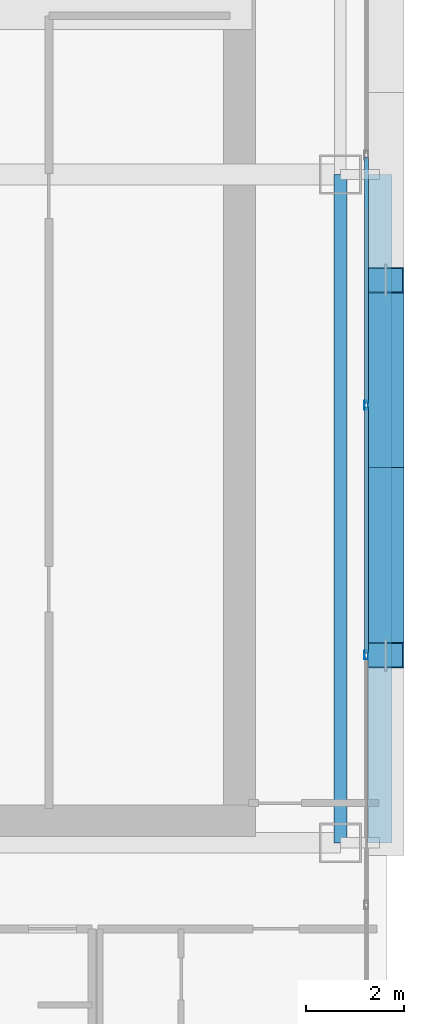
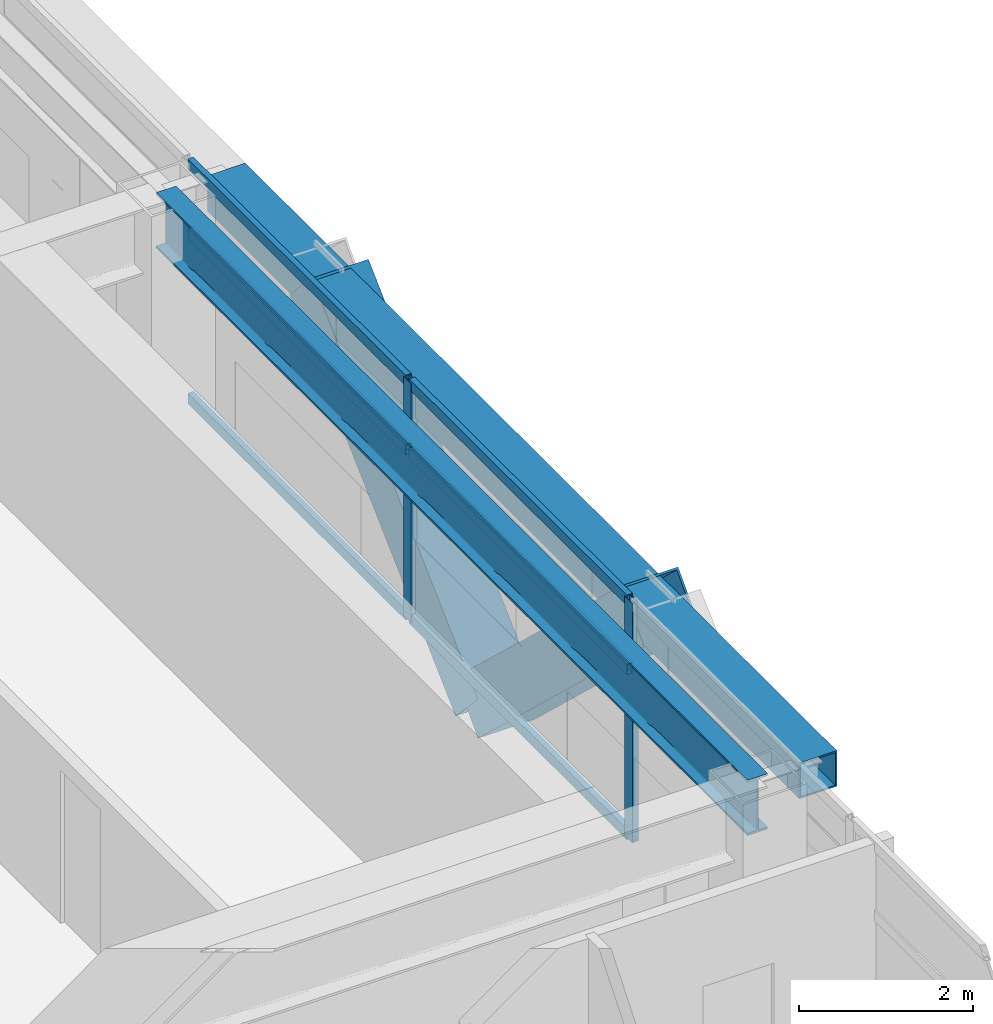
# One storey, part 13 of 34: 10 members, 2 beams, 1 element without a shape of its own.
"""IFC4 building model written with IfcOpenShell, lengths in metres."""

import ifcopenshell
import ifcopenshell.guid

model = None  # the IFC model being written
_history = None  # IfcOwnerHistory: only IFC2X3 demands one
_inside = {}  # id of a spatial element -> (the spatial element, [elements in it])
_under = {}  # id of a project, library or spatial element -> (it, [spatial elements below it])
_declared = {}  # id of a project -> (the project, [libraries it declares])
_typed = {}  # id of a type object -> (the type object, [elements of that type])
_made_of = {}  # id of a material, layer set ... -> (it, [elements and type objects made of it])


def new_model(schema):
    """Start an empty IFC model of exactly this schema.

    Asked for "IFC4X3", IfcOpenShell would pick the latest addendum, in which some entities
    have other attributes; the version numbers below select the first issue.
    IFC2X3 requires an IfcOwnerHistory on every rooted entity: one is made here for all.
    """
    global model, _history
    if schema == "IFC4X3":
        model = ifcopenshell.file(schema_version=(4, 3, 0, 0))
    else:
        model = ifcopenshell.file(schema=schema)
    _inside.clear()
    _under.clear()
    _declared.clear()
    _typed.clear()
    _made_of.clear()
    _history = None
    if model.schema == "IFC2X3":
        org = make("IfcOrganization", Name="unknown")
        user = make(
            "IfcPersonAndOrganization",
            ThePerson=make("IfcPerson", FamilyName="unknown"),
            TheOrganization=org,
        )
        app = make(
            "IfcApplication",
            ApplicationDeveloper=org,
            Version="unknown",
            ApplicationFullName="unknown",
            ApplicationIdentifier="unknown",
        )
        _history = make(
            "IfcOwnerHistory",
            OwningUser=user,
            OwningApplication=app,
            ChangeAction="ADDED",
            CreationDate=0,
        )
    return model


def make(cls, **values):
    """One entity of the class cls with the attributes given. An attribute that is None is left unset."""
    return model.create_entity(
        cls, **{name: value for name, value in values.items() if value is not None}
    )


def rooted(cls, **values):
    """An entity with a GlobalId (a new one), such as an element, a storey or a relation."""
    return make(cls, GlobalId=ifcopenshell.guid.new(), OwnerHistory=_history, **values)


def si_unit(unit_type, name, prefix=None):
    """IfcSIUnit, for example si_unit("LENGTHUNIT", "METRE", prefix="MILLI")."""
    return make("IfcSIUnit", UnitType=unit_type, Prefix=prefix, Name=name)


def assignment(units):
    """IfcUnitAssignment: the units of a project."""
    return None if units is None else make("IfcUnitAssignment", Units=units)


def point(xyz):
    """IfcCartesianPoint."""
    return None if xyz is None else make("IfcCartesianPoint", Coordinates=xyz)


def direction(xyz):
    """IfcDirection."""
    return None if xyz is None else make("IfcDirection", DirectionRatios=xyz)


def frame(location, z_axis=None, x_axis=None):
    """IfcAxis2Placement3D, a coordinate frame: its origin and axes. An axis left out is left unset."""
    return make(
        "IfcAxis2Placement3D",
        Location=point(location),
        Axis=direction(z_axis),
        RefDirection=direction(x_axis),
    )


def frame_2d(location, x_axis=None):
    """IfcAxis2Placement2D, a coordinate frame in the plane: its origin and x axis."""
    return make(
        "IfcAxis2Placement2D", Location=point(location), RefDirection=direction(x_axis)
    )


def origin():
    """The frame at (0, 0, 0) with its axes left unset."""
    return frame((0.0, 0.0, 0.0))


def origin_2d():
    """The frame at (0, 0) in the plane with its x axis left unset."""
    return frame_2d((0.0, 0.0))


def place(relative_to, where):
    """IfcLocalPlacement: puts the frame where relative to a parent placement (None: the world)."""
    return make(
        "IfcLocalPlacement", PlacementRelTo=relative_to, RelativePlacement=where
    )


def context(
    kind, dimensions, precision=None, world=None, true_north=None, identifier=None
):
    """IfcGeometricRepresentationContext, for example the 3D "Model" context."""
    return make(
        "IfcGeometricRepresentationContext",
        ContextIdentifier=identifier,
        ContextType=kind,
        CoordinateSpaceDimension=dimensions,
        Precision=precision,
        WorldCoordinateSystem=world,
        TrueNorth=true_north,
    )


def subcontext(parent, identifier, kind, view, scale=None):
    """IfcGeometricRepresentationSubContext, for example "Body" below "Model"."""
    return make(
        "IfcGeometricRepresentationSubContext",
        ContextIdentifier=identifier,
        ContextType=kind,
        ParentContext=parent,
        TargetScale=scale,
        TargetView=view,
    )


def project(units=None, contexts=None):
    """IfcProject with its units and contexts."""
    return rooted(
        "IfcProject",
        Name="project",
        RepresentationContexts=contexts,
        UnitsInContext=assignment(units),
    )


def spatial(cls, under=None, at=None, **own):
    """A site, building, storey or space (cls), placed at a placement, below another one or the project."""
    s = rooted(cls, ObjectPlacement=at, **own)
    if under is not None:
        _under.setdefault(under.id(), (under, []))[1].append(s)
    return s


def profile(cls, at=None, kind="AREA", **sizes):
    """A parametric profile (cls). Its sizes go by their IFC names, for example OverallWidth=200.0."""
    return make(cls, ProfileType=kind, Position=at, **sizes)


def hollow_rectangle(**sizes):
    """IfcRectangleHollowProfileDef."""
    return profile("IfcRectangleHollowProfileDef", **sizes)


def i_section(**sizes):
    """IfcIShapeProfileDef."""
    return profile("IfcIShapeProfileDef", **sizes)


def extrude(swept, where, along, depth):
    """IfcExtrudedAreaSolid: the profile swept, set in the frame where, extruded along a direction by depth."""
    return make(
        "IfcExtrudedAreaSolid",
        SweptArea=swept,
        Position=where,
        ExtrudedDirection=direction(along),
        Depth=depth,
    )


def shape(context_of_items, identifier, shape_type, items):
    """IfcShapeRepresentation: the items that make up one representation, for example the "Body"."""
    return make(
        "IfcShapeRepresentation",
        ContextOfItems=context_of_items,
        RepresentationIdentifier=identifier,
        RepresentationType=shape_type,
        Items=items,
    )


def source(mapping_origin, context_of_items, identifier, shape_type, items):
    """IfcRepresentationMap: a shape defined once, which mapped items show again and again."""
    return make(
        "IfcRepresentationMap",
        MappingOrigin=mapping_origin,
        MappedRepresentation=shape(context_of_items, identifier, shape_type, items),
    )


def transform(
    local_origin,
    x_axis=None,
    y_axis=None,
    z_axis=None,
    scale=None,
    scale2=None,
    scale3=None,
    uniform=True,
):
    """IfcCartesianTransformationOperator3D, or its non-uniform kind. x_axis, y_axis, z_axis: its Axis1, 2, 3."""
    if uniform:
        return make(
            "IfcCartesianTransformationOperator3D",
            Axis1=direction(x_axis),
            Axis2=direction(y_axis),
            LocalOrigin=point(local_origin),
            Scale=scale,
            Axis3=direction(z_axis),
        )
    return make(
        "IfcCartesianTransformationOperator3DnonUniform",
        Axis1=direction(x_axis),
        Axis2=direction(y_axis),
        LocalOrigin=point(local_origin),
        Scale=scale,
        Axis3=direction(z_axis),
        Scale2=scale2,
        Scale3=scale3,
    )


def mapped(mapping_source, mapping_target):
    """IfcMappedItem: shows the shape of a source again, moved by a transform."""
    return make(
        "IfcMappedItem", MappingSource=mapping_source, MappingTarget=mapping_target
    )


def material(Name=None, Category=None):
    """IfcMaterial."""
    return make("IfcMaterial", Name=Name, Category=Category)


def layer(
    of_material, thickness, ventilated=None, Name=None, Category=None, Priority=None
):
    """IfcMaterialLayer: one layer of a wall or slab, of a material (None: an air gap)."""
    return make(
        "IfcMaterialLayer",
        Material=of_material,
        LayerThickness=thickness,
        IsVentilated=ventilated,
        Name=Name,
        Category=Category,
        Priority=Priority,
    )


def layer_set(layers, Name=None):
    """IfcMaterialLayerSet."""
    return make("IfcMaterialLayerSet", MaterialLayers=layers, LayerSetName=Name)


def material_profile(
    of_material, cross_section, Name=None, Category=None, Priority=None
):
    """IfcMaterialProfile: a cross section and its material."""
    return make(
        "IfcMaterialProfile",
        Name=Name,
        Material=of_material,
        Profile=cross_section,
        Priority=Priority,
        Category=Category,
    )


def profile_set(profiles, Name=None, composite=None):
    """IfcMaterialProfileSet."""
    return make(
        "IfcMaterialProfileSet",
        Name=Name,
        MaterialProfiles=profiles,
        CompositeProfile=composite,
    )


def made_of(thing, what):
    """Note that an element or type object is made of a material, layer set ...; save() writes the relation."""
    if what is not None:
        _made_of.setdefault(what.id(), (what, []))[1].append(thing)
    return thing


def type_object(cls, material=None, **own):
    """A type object (cls), such as IfcWallType, which elements share."""
    return made_of(rooted(cls, **own), material)


def element(
    cls,
    number,
    at=None,
    inside=None,
    cuts=None,
    type_object=None,
    material=None,
    context=None,
    identifier="Body",
    shape_type=None,
    held_by="IfcProductDefinitionShape",
    body=None,
    shapes=None,
    **own,
):
    """One element of the class cls, such as IfcWall. Its Tag is "e" and its number.

    at: its placement. inside: the storey or other place that contains it. cuts: it is an
    opening in that element (IfcRelVoidsElement). A single representation is given by context,
    identifier, shape_type and body (its items); several are given by shapes. held_by: the class
    of the entity that holds the representations. save() writes the other relations.
    """
    e = rooted(cls, Tag="e%d" % number, ObjectPlacement=at, **own)
    if body is not None:
        shapes = [shape(context, identifier, shape_type, body)]
    if shapes is not None:
        e.Representation = make(held_by, Representations=shapes)
    if inside is not None:
        _inside.setdefault(inside.id(), (inside, []))[1].append(e)
    if cuts is not None:
        rooted(
            "IfcRelVoidsElement", RelatingBuildingElement=cuts, RelatedOpeningElement=e
        )
    if type_object is not None:
        _typed.setdefault(type_object.id(), (type_object, []))[1].append(e)
    return made_of(e, material)


def aggregate(whole, parts):
    """IfcRelAggregates: a whole, such as a stair, and the parts it consists of."""
    return rooted("IfcRelAggregates", RelatingObject=whole, RelatedObjects=parts)


def save(model, path):
    """Write the relations noted so far, then the file.

    IfcRelAggregates (storeys below a building ...), IfcRelContainedInSpatialStructure (elements
    in a storey), IfcRelDefinesByType, IfcRelAssociatesMaterial and IfcRelDeclares: one each for
    every whole, place, type object, material and project.
    """
    for whole, parts in _under.values():
        aggregate(whole, parts)
    for where, things in _inside.values():
        rooted(
            "IfcRelContainedInSpatialStructure",
            RelatedElements=things,
            RelatingStructure=where,
        )
    for kind, things in _typed.values():
        rooted("IfcRelDefinesByType", RelatedObjects=things, RelatingType=kind)
    for what, things in _made_of.values():
        rooted("IfcRelAssociatesMaterial", RelatedObjects=things, RelatingMaterial=what)
    for by, libraries in _declared.values():
        rooted("IfcRelDeclares", RelatingContext=by, RelatedDefinitions=libraries)
    model.write(path)


model = new_model("IFC4")

# Units and contexts
model_context = context("Model", 3, precision=1e-05, world=origin(), true_north=direction((0.0, 1.0)))
body_context = subcontext(model_context, "Body", "Model", "MODEL_VIEW")
ifc_project = project(units=[si_unit("LENGTHUNIT", "METRE"), si_unit("AREAUNIT", "SQUARE_METRE"), si_unit("VOLUMEUNIT", "CUBIC_METRE"), si_unit("PLANEANGLEUNIT", "RADIAN"), si_unit("MASSUNIT", "GRAM", prefix="KILO")], contexts=[model_context])

# Site, building, storey
site_placement = place(None, origin())
site = spatial("IfcSite", under=ifc_project, at=site_placement, CompositionType="ELEMENT")
building_placement = place(site_placement, origin())
building = spatial("IfcBuilding", under=site, at=building_placement, Name="Ocotamira Hotel", CompositionType="ELEMENT")
storey_placement = place(building_placement, frame((0.0, 0.0, 111.60009765625)))
storey = spatial("IfcBuildingStorey", under=building, at=storey_placement, Name="L27", CompositionType="ELEMENT", Elevation=111.60009765625)

# Beams
ifc_material_1 = material(Name="Steel ASTM A992 Grade 50", Category="steel")
ifc_material_profile_1 = material_profile(ifc_material_1, i_section(OverallWidth=0.26611328125, OverallDepth=0.779052734375, WebThickness=0.0166015625, FlangeThickness=0.030029296875, FilletRadius=0.01806640625, at=origin_2d()), Name="W30X148")
ifc_profile_set_1 = profile_set([ifc_material_profile_1], Name="Steel ASTM A992 Grade 50")
beam_type_1 = type_object("IfcBeamType", Name="BM-GIRD-W30X148", PredefinedType="BEAM", material=ifc_profile_set_1)
shared_shape_1 = source(origin(), body_context, "Body", "SweptSolid", [
    extrude(i_section(OverallWidth=0.26611328125, OverallDepth=0.779052734375, WebThickness=0.0166015625, FlangeThickness=0.030029296875, FilletRadius=0.01806640625, at=origin_2d()), origin(), (0.0, 0.0, 1.0), 13.599853515625),
])
beam_1_placement = place(storey_placement, frame((55.050048828125, 14.550048828125, 2.970458984375), z_axis=(0.0, 1.0, 0.0), x_axis=(-1.0, 0.0, 0.0)))
element("IfcBeam", 1, at=beam_1_placement, inside=storey, type_object=beam_type_1, Name="L27 Beam X55.05 Y14.55-28.15", PredefinedType="BEAM", context=body_context, shape_type="MappedRepresentation", body=[
    mapped(shared_shape_1, transform((0.0, 0.0, 0.0), scale=1.0)),
])
ifc_material_2 = material(Name="Steel ASTM A500 Grade C", Category="steel")
ifc_material_profile_2 = material_profile(ifc_material_2, hollow_rectangle(XDim=0.5, YDim=0.5, WallThickness=0.02001953125, at=origin_2d()), Name="HSS500X500X20")
ifc_profile_set_2 = profile_set([ifc_material_profile_2], Name="Steel ASTM A500 Grade C")
beam_type_2 = type_object("IfcBeamType", Name="BM-SPAN-HSS500", PredefinedType="USERDEFINED", material=ifc_profile_set_2)
shared_shape_2 = source(origin(), body_context, "Body", "SweptSolid", [
    extrude(hollow_rectangle(XDim=0.5, YDim=0.5, WallThickness=0.02001953125, at=origin_2d()), origin(), (0.0, 0.0, 1.0), 13.599853515625),
])
beam_2_placement = place(storey_placement, frame((55.85009765625, 14.550048828125, 3.10986328125), z_axis=(0.0, 1.0, 0.0), x_axis=(-1.0, 0.0, 0.0)))
element("IfcBeam", 2, at=beam_2_placement, inside=storey, type_object=beam_type_2, Name="L27 Edge Spandrel E Y14.55-28.15", ObjectType="SPANDREL", PredefinedType="USERDEFINED", context=body_context, shape_type="MappedRepresentation", body=[
    mapped(shared_shape_2, transform((0.0, 0.0, 0.0), scale=1.0)),
])

# Members
ifc_material_3 = material(Name="Pale-metal coated steel ASTM A913 Grade 65", Category="steel")
ifc_material_profile_3 = material_profile(ifc_material_3, hollow_rectangle(XDim=0.75, YDim=0.75, WallThickness=0.028076171875, at=origin_2d()), Name="BOX750X750X28")
ifc_profile_set_3 = profile_set([ifc_material_profile_3], Name="Pale-metal coated steel ASTM A913 Grade 65")
member_type_1 = type_object("IfcMemberType", Name="MEM-EXO-BOX750", PredefinedType="BRACE", material=ifc_profile_set_3)
shared_shape_3 = source(origin(), body_context, "Body", "SweptSolid", [
    extrude(hollow_rectangle(XDim=0.75, YDim=0.75, WallThickness=0.028076171875, at=origin_2d()), origin(), (0.0, 0.0, 1.0), 5.24658203125),
])
for number, where, z_axis, x_axis, name in (
    (3, (55.969970703125, 22.183349609375, -0.489990234375), (0.0, -0.72746596067, 0.686143772154), (1.0, 0.0, 0.0), "L27 Exoskeleton Diagrid E0.2"),
    (4, (55.969970703125, 22.183349609375, -0.489990234375), (0.0, 0.72746596067, 0.686143772154), (-1.0, 0.0, 0.0), "L27 Exoskeleton Diagrid E1.1"),
):
    element("IfcMember", number, at=place(storey_placement, frame(where, z_axis=z_axis, x_axis=x_axis)), inside=storey, type_object=member_type_1, Name=name, PredefinedType="BRACE", context=body_context, shape_type="MappedRepresentation", body=[
        mapped(shared_shape_3, transform((0.0, 0.0, 0.0), scale=1.0)),
    ])

# Curtain wall, members
ifc_material_4 = material(Name="Anodised pale-metal aluminium and solar glass", Category="aluminium")
ifc_layer = layer(ifc_material_4, 0.179931640625)
ifc_layer_set = layer_set([ifc_layer], Name="Anodised pale-metal aluminium and solar glass")
curtain_wall_type = type_object("IfcCurtainWallType", Name="CW-SYS3-Z2", PredefinedType="NOTDEFINED", material=ifc_layer_set)
curtain_wall_placement = place(storey_placement, origin())
curtain_wall = element("IfcCurtainWall", 5, at=curtain_wall_placement, inside=storey, type_object=curtain_wall_type, Name="L27 Curtain Wall CW-3 CW-L27-E", PredefinedType="NOTDEFINED")
ifc_material_5 = material(Name="Anodised pale-metal aluminium 6063-T6", Category="aluminium")
ifc_material_profile_4 = material_profile(ifc_material_5, hollow_rectangle(XDim=0.074951171875, YDim=0.14990234375, WallThickness=0.006103515625, at=origin_2d()), Name="HSS150X75X6")
ifc_profile_set_4 = profile_set([ifc_material_profile_4], Name="Anodised pale-metal aluminium 6063-T6")
member_type_2 = type_object("IfcMemberType", Name="CWT-150X75", PredefinedType="USERDEFINED", material=ifc_profile_set_4)
shared_shape_4 = source(origin(), body_context, "Body", "SweptSolid", [
    extrude(hollow_rectangle(XDim=0.074951171875, YDim=0.14990234375, WallThickness=0.006103515625, at=origin_2d()), origin(), (0.0, 0.0, 1.0), 5.005859375),
])
member_1_placement = place(storey_placement, frame((55.580078125, 18.411376953125, 0.037353515625), z_axis=(0.0, 1.0, 0.0), x_axis=(-1.0, 0.0, 0.0)))
member_1 = element("IfcMember", 6, at=member_1_placement, type_object=member_type_2, Name="CW-3 transom 3.1", ObjectType="TRANSOM", PredefinedType="USERDEFINED", context=body_context, shape_type="MappedRepresentation", body=[
    mapped(shared_shape_4, transform((0.0, 0.0, 0.0), scale=1.0)),
])
member_2_placement = place(storey_placement, frame((55.580078125, 18.411376953125, 2.349853515625), z_axis=(0.0, 1.0, 0.0), x_axis=(-1.0, 0.0, 0.0)))
member_2 = element("IfcMember", 7, at=member_2_placement, type_object=member_type_2, Name="CW-3 transom 3.2", ObjectType="TRANSOM", PredefinedType="USERDEFINED", context=body_context, shape_type="MappedRepresentation", body=[
    mapped(shared_shape_4, transform((0.0, 0.0, 0.0), scale=1.0)),
])
member_3_placement = place(storey_placement, frame((55.580078125, 18.411376953125, 3.322509765625), z_axis=(0.0, 1.0, 0.0), x_axis=(-1.0, 0.0, 0.0)))
member_3 = element("IfcMember", 8, at=member_3_placement, type_object=member_type_2, Name="CW-3 transom 3.3", ObjectType="TRANSOM", PredefinedType="USERDEFINED", context=body_context, shape_type="MappedRepresentation", body=[
    mapped(shared_shape_4, transform((0.0, 0.0, 0.0), scale=1.0)),
])
member_4_placement = place(storey_placement, frame((55.580078125, 23.4970703125, 0.037353515625), z_axis=(0.0, 1.0, 0.0), x_axis=(-1.0, 0.0, 0.0)))
member_4 = element("IfcMember", 9, at=member_4_placement, type_object=member_type_2, Name="CW-3 transom 4.1", ObjectType="TRANSOM", PredefinedType="USERDEFINED", context=body_context, shape_type="MappedRepresentation", body=[
    mapped(shared_shape_4, transform((0.0, 0.0, 0.0), scale=1.0)),
])
member_5_placement = place(storey_placement, frame((55.580078125, 23.4970703125, 2.349853515625), z_axis=(0.0, 1.0, 0.0), x_axis=(-1.0, 0.0, 0.0)))
member_5 = element("IfcMember", 10, at=member_5_placement, type_object=member_type_2, Name="CW-3 transom 4.2", ObjectType="TRANSOM", PredefinedType="USERDEFINED", context=body_context, shape_type="MappedRepresentation", body=[
    mapped(shared_shape_4, transform((0.0, 0.0, 0.0), scale=1.0)),
])
member_6_placement = place(storey_placement, frame((55.580078125, 23.4970703125, 3.322509765625), z_axis=(0.0, 1.0, 0.0), x_axis=(-1.0, 0.0, 0.0)))
member_6 = element("IfcMember", 11, at=member_6_placement, type_object=member_type_2, Name="CW-3 transom 4.3", ObjectType="TRANSOM", PredefinedType="USERDEFINED", context=body_context, shape_type="MappedRepresentation", body=[
    mapped(shared_shape_4, transform((0.0, 0.0, 0.0), scale=1.0)),
])
ifc_material_profile_5 = material_profile(ifc_material_5, hollow_rectangle(XDim=0.080078125, YDim=0.179931640625, WallThickness=0.006103515625, at=origin_2d()), Name="HSS180X80X6")
ifc_profile_set_5 = profile_set([ifc_material_profile_5], Name="Anodised pale-metal aluminium 6063-T6")
member_type_3 = type_object("IfcMemberType", Name="CWM-180X75", PredefinedType="MULLION", material=ifc_profile_set_5)
shared_shape_5 = source(origin(), body_context, "Body", "SweptSolid", [
    extrude(hollow_rectangle(XDim=0.080078125, YDim=0.179931640625, WallThickness=0.006103515625, at=origin_2d()), origin(), (0.0, 0.0, 1.0), 3.35986328125),
])
member_7_placement = place(storey_placement, frame((55.580078125, 18.371337890625, 0.0), z_axis=(0.0, 0.0, 1.0), x_axis=(-1.0, 0.0, 0.0)))
member_7 = element("IfcMember", 12, at=member_7_placement, type_object=member_type_3, Name="CW-3 mullion 3", PredefinedType="MULLION", context=body_context, shape_type="MappedRepresentation", body=[
    mapped(shared_shape_5, transform((0.0, 0.0, 0.0), scale=1.0)),
])
member_8_placement = place(storey_placement, frame((55.580078125, 23.45703125, 0.0), z_axis=(0.0, 0.0, 1.0), x_axis=(-1.0, 0.0, 0.0)))
member_8 = element("IfcMember", 13, at=member_8_placement, type_object=member_type_3, Name="CW-3 mullion 4", PredefinedType="MULLION", context=body_context, shape_type="MappedRepresentation", body=[
    mapped(shared_shape_5, transform((0.0, 0.0, 0.0), scale=1.0)),
])
aggregate(curtain_wall, [member_7, member_8, member_1, member_2, member_3, member_4, member_5, member_6])

save(model, "model.ifc")
